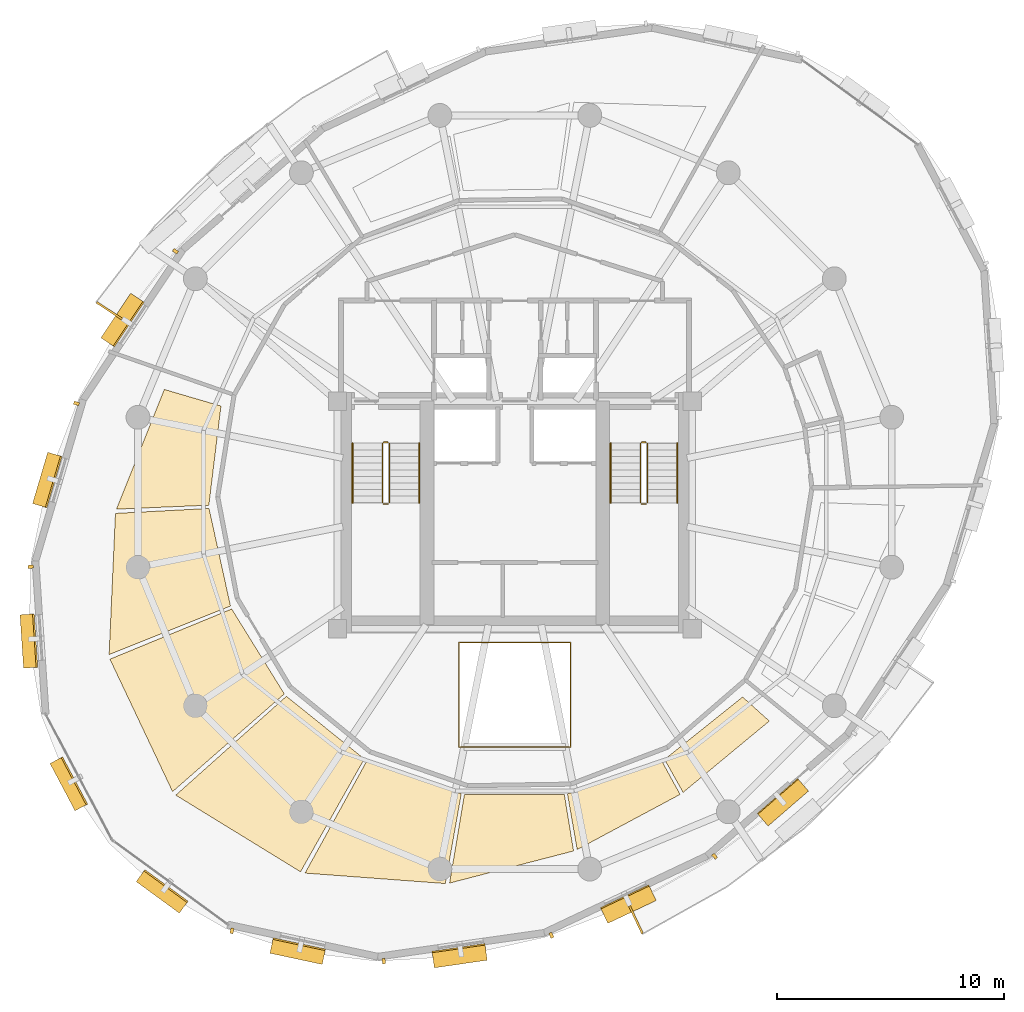
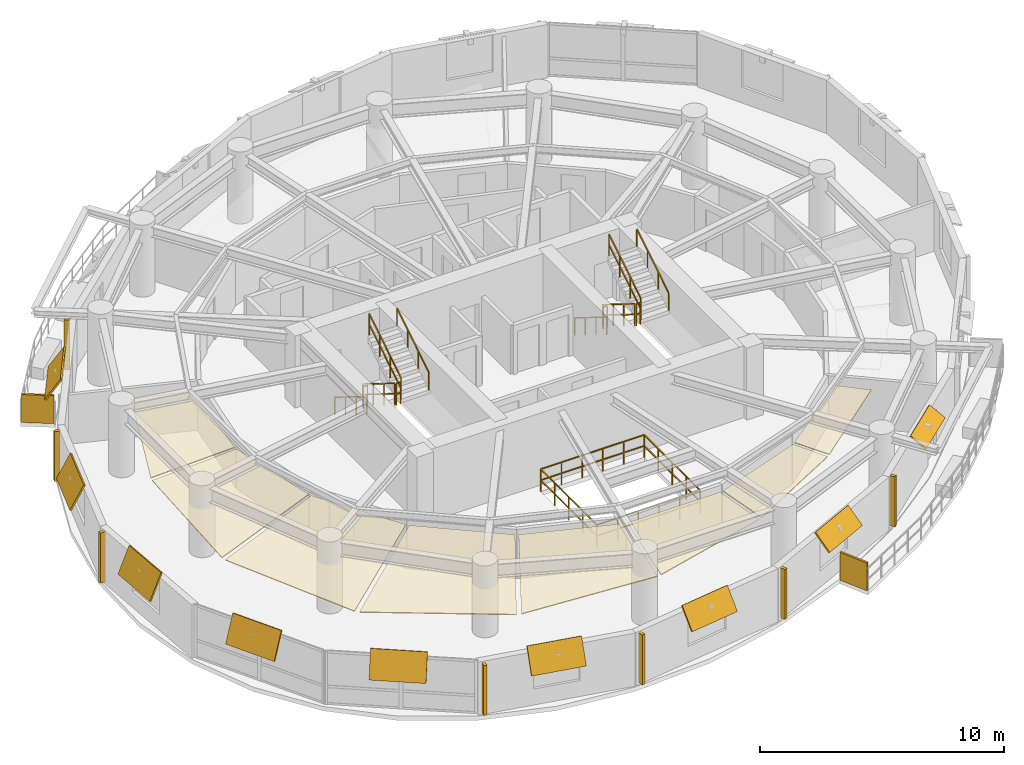
# One storey, part 11 of 12: 18 shading devices, 13 railings, 8 coverings.
"""IFC4 building model written with IfcOpenShell, lengths in metres."""

from ifc_helpers import new_model, si_unit, direction, frame, origin, origin_2d, place, context, subcontext, project, spatial, polyline, rectangle, outline, extrude, material, layer, layer_set, type_object, element, save


model = new_model("IFC4")

# Units and contexts
model_context = context("Model", 3, precision=1e-05, world=origin(), true_north=direction((0.0, 1.0)))
body_context = subcontext(model_context, "Body", "Model", "MODEL_VIEW")
ifc_project = project(units=[si_unit("LENGTHUNIT", "METRE"), si_unit("AREAUNIT", "SQUARE_METRE"), si_unit("VOLUMEUNIT", "CUBIC_METRE"), si_unit("PLANEANGLEUNIT", "RADIAN"), si_unit("MASSUNIT", "GRAM", prefix="KILO"), si_unit("THERMODYNAMICTEMPERATUREUNIT", "KELVIN"), si_unit("POWERUNIT", "WATT")], contexts=[model_context])

# Site, building, storey
site_placement = place(None, origin())
site = spatial("IfcSite", under=ifc_project, at=site_placement, CompositionType="ELEMENT")
building_placement = place(site_placement, origin())
building = spatial("IfcBuilding", under=site, at=building_placement, Name="Ocrelia Relay Tower", CompositionType="ELEMENT")
storey_placement = place(building_placement, frame((0.0, 0.0, 202.39990234375)))
storey = spatial("IfcBuildingStorey", under=building, at=storey_placement, Name="L49", CompositionType="ELEMENT", Elevation=202.39990234375)

# Coverings
ifc_material_1 = material(Name="Cleanroom metal-pan acoustic ceiling", Category="aluminium")
ifc_layer_1 = layer(ifc_material_1, 0.0400390625, Name="Cleanroom metal-pan acoustic ceiling")
ifc_layer_set_1 = layer_set([ifc_layer_1], Name="Cleanroom metal-pan acoustic ceiling")
covering_type = type_object("IfcCoveringType", Name="COV-CEIL-CLEAN", PredefinedType="CEILING", material=ifc_layer_set_1)
covering_1_placement = place(storey_placement, frame((0.0, 0.0, 2.380126953125)))
element("IfcCovering", 1, at=covering_1_placement, inside=storey, type_object=covering_type, Name="L49 Optical Switching Hall B Suspended Ceiling 1", PredefinedType="CEILING", context=body_context, shape_type="SweptSolid", body=[
    extrude(outline(polyline([(21.07470703125, 29.7919921875), (18.5830078125, 30.52294921875), (16.477294921875, 25.2578125), (20.5419921875, 25.43017578125), (21.07470703125, 29.7919921875)])), origin(), (0.0, 0.0, 1.0), 0.0400390625),
])
covering_2_placement = place(storey_placement, frame((0.0, 0.0, 2.380126953125)))
element("IfcCovering", 2, at=covering_2_placement, inside=storey, type_object=covering_type, Name="L49 Optical Switching Hall B Suspended Ceiling 2", PredefinedType="CEILING", context=body_context, shape_type="SweptSolid", body=[
    extrude(outline(polyline([(20.548828125, 25.289306640625), (16.4326171875, 25.071533203125), (16.15478515625, 18.862548828125), (21.493408203125, 20.997802734375), (20.548828125, 25.289306640625)])), origin(), (0.0, 0.0, 1.0), 0.0400390625),
])
covering_3_placement = place(storey_placement, frame((0.0, 0.0, 2.380126953125)))
element("IfcCovering", 3, at=covering_3_placement, inside=storey, type_object=covering_type, Name="L49 Optical Switching Hall B Suspended Ceiling 3", PredefinedType="CEILING", context=body_context, shape_type="SweptSolid", body=[
    extrude(outline(polyline([(21.54638671875, 20.866943359375), (16.189697265625, 18.6591796875), (18.946044921875, 12.8330078125), (23.861083984375, 17.1318359375), (21.54638671875, 20.866943359375)])), origin(), (0.0, 0.0, 1.0), 0.0400390625),
])
covering_4_placement = place(storey_placement, frame((0.0, 0.0, 2.380126953125)))
element("IfcCovering", 4, at=covering_4_placement, inside=storey, type_object=covering_type, Name="L49 Optical Switching Hall B Suspended Ceiling 4", PredefinedType="CEILING", context=body_context, shape_type="SweptSolid", body=[
    extrude(outline(polyline([(23.95458984375, 17.026123046875), (19.086181640625, 12.67724609375), (24.574462890625, 9.306396484375), (27.377197265625, 14.2705078125), (23.95458984375, 17.026123046875)])), origin(), (0.0, 0.0, 1.0), 0.0400390625),
])
covering_5_placement = place(storey_placement, frame((0.0, 0.0, 2.380126953125)))
element("IfcCovering", 5, at=covering_5_placement, inside=storey, type_object=covering_type, Name="L49 Optical Switching Hall B Suspended Ceiling 5", PredefinedType="CEILING", context=body_context, shape_type="SweptSolid", body=[
    extrude(outline(polyline([(27.50048828125, 14.201904296875), (24.77197265625, 9.248779296875), (30.94189453125, 8.7890625), (31.6435546875, 12.73779296875), (27.50048828125, 14.201904296875)])), origin(), (0.0, 0.0, 1.0), 0.0400390625),
])
covering_6_placement = place(storey_placement, frame((0.0, 0.0, 2.380126953125)))
element("IfcCovering", 6, at=covering_6_placement, inside=storey, type_object=covering_type, Name="L49 Optical Switching Hall B Suspended Ceiling 6", PredefinedType="CEILING", context=body_context, shape_type="SweptSolid", body=[
    extrude(outline(polyline([(31.78271484375, 12.7138671875), (31.131103515625, 8.810302734375), (36.583740234375, 10.22216796875), (36.1767578125, 12.70703125), (31.78271484375, 12.7138671875)])), origin(), (0.0, 0.0, 1.0), 0.0400390625),
])
covering_7_placement = place(storey_placement, frame((0.0, 0.0, 2.380126953125)))
element("IfcCovering", 7, at=covering_7_placement, inside=storey, type_object=covering_type, Name="L49 Optical Switching Hall B Suspended Ceiling 7", PredefinedType="CEILING", context=body_context, shape_type="SweptSolid", body=[
    extrude(outline(polyline([(36.31591796875, 12.730712890625), (36.742431640625, 10.2861328125), (41.268798828125, 12.709716796875), (40.46337890625, 14.181884765625), (36.31591796875, 12.730712890625)])), origin(), (0.0, 0.0, 1.0), 0.0400390625),
])
covering_8_placement = place(storey_placement, frame((0.0, 0.0, 2.380126953125)))
element("IfcCovering", 8, at=covering_8_placement, inside=storey, type_object=covering_type, Name="L49 Optical Switching Hall B Suspended Ceiling 8", PredefinedType="CEILING", context=body_context, shape_type="SweptSolid", body=[
    extrude(outline(polyline([(40.5869140625, 14.25048828125), (41.400390625, 12.799072265625), (45.194580078125, 15.93798828125), (44.01806640625, 16.99560546875), (40.5869140625, 14.25048828125)])), origin(), (0.0, 0.0, 1.0), 0.0400390625),
])

# Railings
ifc_material_2 = material(Name="Steel S355 atrium balustrade", Category="steel")
railing_type_1 = type_object("IfcRailingType", Name="RL-INT-GUARD-115", PredefinedType="GUARDRAIL", material=ifc_material_2)
railing_1_placement = place(storey_placement, frame((31.550048828125, 14.800048828125, 0.0)))
element("IfcRailing", 9, at=railing_1_placement, inside=storey, type_object=railing_type_1, Name="L49 Multi-Zone Interior Atrium Guard", PredefinedType="GUARDRAIL", context=body_context, shape_type="SweptSolid", body=[
    extrude(rectangle(XDim=0.048095703125, YDim=0.048095703125, at=origin_2d()), frame((0.0, 0.0, 1.1259765625), z_axis=(1.0, 0.0, 0.0), x_axis=(0.0, 1.0, 0.0)), (0.0, 0.0, 1.0), 4.89990234375),
    extrude(rectangle(XDim=0.048095703125, YDim=0.048095703125, at=origin_2d()), frame((0.0, 0.0, 0.574951171875), z_axis=(1.0, 0.0, 0.0), x_axis=(0.0, 1.0, 0.0)), (0.0, 0.0, 1.0), 4.89990234375),
    extrude(rectangle(XDim=0.048095703125, YDim=0.048095703125, at=origin_2d()), frame((4.89990234375, 0.0, 1.1259765625), z_axis=(0.0, 1.0, 0.0), x_axis=(-1.0, 0.0, 0.0)), (0.0, 0.0, 1.0), 4.599853515625),
    extrude(rectangle(XDim=0.048095703125, YDim=0.048095703125, at=origin_2d()), frame((4.89990234375, 0.0, 0.574951171875), z_axis=(0.0, 1.0, 0.0), x_axis=(-1.0, 0.0, 0.0)), (0.0, 0.0, 1.0), 4.599853515625),
    extrude(rectangle(XDim=0.048095703125, YDim=0.048095703125, at=origin_2d()), frame((4.89990234375, 4.599853515625, 1.1259765625), z_axis=(-1.0, 0.0, 0.0), x_axis=(0.0, -1.0, 0.0)), (0.0, 0.0, 1.0), 4.89990234375),
    extrude(rectangle(XDim=0.048095703125, YDim=0.048095703125, at=origin_2d()), frame((4.89990234375, 4.599853515625, 0.574951171875), z_axis=(-1.0, 0.0, 0.0), x_axis=(0.0, -1.0, 0.0)), (0.0, 0.0, 1.0), 4.89990234375),
    extrude(rectangle(XDim=0.048095703125, YDim=0.048095703125, at=origin_2d()), frame((0.0, 4.599853515625, 1.1259765625), z_axis=(0.0, -1.0, 0.0), x_axis=(1.0, 0.0, 0.0)), (0.0, 0.0, 1.0), 4.599853515625),
    extrude(rectangle(XDim=0.048095703125, YDim=0.048095703125, at=origin_2d()), frame((0.0, 4.599853515625, 0.574951171875), z_axis=(0.0, -1.0, 0.0), x_axis=(1.0, 0.0, 0.0)), (0.0, 0.0, 1.0), 4.599853515625),
    extrude(rectangle(XDim=0.0419921875, YDim=0.0419921875, at=origin_2d()), origin(), (0.0, 0.0, 1.0), 1.101806640625),
    extrude(rectangle(XDim=0.0419921875, YDim=0.0419921875, at=origin_2d()), frame((0.97998046875, 0.0, 0.0)), (0.0, 0.0, 1.0), 1.101806640625),
    extrude(rectangle(XDim=0.0419921875, YDim=0.0419921875, at=origin_2d()), frame((1.9599609375, 0.0, 0.0)), (0.0, 0.0, 1.0), 1.101806640625),
    extrude(rectangle(XDim=0.0419921875, YDim=0.0419921875, at=origin_2d()), frame((2.93994140625, 0.0, 0.0)), (0.0, 0.0, 1.0), 1.101806640625),
    extrude(rectangle(XDim=0.0419921875, YDim=0.0419921875, at=origin_2d()), frame((3.919921875, 0.0, 0.0)), (0.0, 0.0, 1.0), 1.101806640625),
    extrude(rectangle(XDim=0.0419921875, YDim=0.0419921875, at=origin_2d()), frame((4.89990234375, 0.0, 0.0)), (0.0, 0.0, 1.0), 1.101806640625),
    extrude(rectangle(XDim=0.0419921875, YDim=0.0419921875, at=origin_2d()), frame((4.89990234375, 1.14990234375, 0.0)), (0.0, 0.0, 1.0), 1.101806640625),
    extrude(rectangle(XDim=0.0419921875, YDim=0.0419921875, at=origin_2d()), frame((4.89990234375, 2.2998046875, 0.0)), (0.0, 0.0, 1.0), 1.101806640625),
    extrude(rectangle(XDim=0.0419921875, YDim=0.0419921875, at=origin_2d()), frame((4.89990234375, 3.449951171875, 0.0)), (0.0, 0.0, 1.0), 1.101806640625),
    extrude(rectangle(XDim=0.0419921875, YDim=0.0419921875, at=origin_2d()), frame((4.89990234375, 4.599853515625, 0.0)), (0.0, 0.0, 1.0), 1.101806640625),
    extrude(rectangle(XDim=0.0419921875, YDim=0.0419921875, at=origin_2d()), frame((3.919921875, 4.599853515625, 0.0)), (0.0, 0.0, 1.0), 1.101806640625),
    extrude(rectangle(XDim=0.0419921875, YDim=0.0419921875, at=origin_2d()), frame((2.93994140625, 4.599853515625, 0.0)), (0.0, 0.0, 1.0), 1.101806640625),
    extrude(rectangle(XDim=0.0419921875, YDim=0.0419921875, at=origin_2d()), frame((1.9599609375, 4.599853515625, 0.0)), (0.0, 0.0, 1.0), 1.101806640625),
    extrude(rectangle(XDim=0.0419921875, YDim=0.0419921875, at=origin_2d()), frame((0.97998046875, 4.599853515625, 0.0)), (0.0, 0.0, 1.0), 1.101806640625),
    extrude(rectangle(XDim=0.0419921875, YDim=0.0419921875, at=origin_2d()), frame((0.0, 4.599853515625, 0.0)), (0.0, 0.0, 1.0), 1.101806640625),
    extrude(rectangle(XDim=0.0419921875, YDim=0.0419921875, at=origin_2d()), frame((0.0, 3.449951171875, 0.0)), (0.0, 0.0, 1.0), 1.101806640625),
    extrude(rectangle(XDim=0.0419921875, YDim=0.0419921875, at=origin_2d()), frame((0.0, 2.2998046875, 0.0)), (0.0, 0.0, 1.0), 1.101806640625),
    extrude(rectangle(XDim=0.0419921875, YDim=0.0419921875, at=origin_2d()), frame((0.0, 1.14990234375, 0.0)), (0.0, 0.0, 1.0), 1.101806640625),
])
ifc_material_3 = material(Name="Steel S355 balustrade", Category="steel")
railing_type_2 = type_object("IfcRailingType", Name="RL-STAIR-GUARD", PredefinedType="GUARDRAIL", material=ifc_material_3)
railing_2_placement = place(storey_placement, frame((28.179931640625, 28.14990234375, 0.18017578125)))
element("IfcRailing", 10, at=railing_2_placement, inside=storey, type_object=railing_type_2, Name="L49 ST1 stair guard 1", PredefinedType="GUARDRAIL", context=body_context, shape_type="SweptSolid", body=[
    extrude(rectangle(XDim=0.048095703125, YDim=0.048095703125, at=origin_2d()), frame((0.0, 0.0, 1.076171875), z_axis=(0.0, -0.849646306263, 0.527352969322), x_axis=(1.0, 0.0, 0.0)), (0.0, 0.0, 1.0), 3.07177734375),
    extrude(rectangle(XDim=0.048095703125, YDim=0.048095703125, at=origin_2d()), frame((0.0, 0.0, 0.550048828125), z_axis=(0.0, -0.849646306263, 0.527352969322), x_axis=(1.0, 0.0, 0.0)), (0.0, 0.0, 1.0), 3.07177734375),
    extrude(rectangle(XDim=0.0419921875, YDim=0.0419921875, at=origin_2d()), origin(), (0.0, 0.0, 1.0), 1.052001953125),
    extrude(rectangle(XDim=0.0419921875, YDim=0.0419921875, at=origin_2d()), frame((0.0, -0.869873046875, 0.5400390625)), (0.0, 0.0, 1.0), 1.052001953125),
    extrude(rectangle(XDim=0.0419921875, YDim=0.0419921875, at=origin_2d()), frame((0.0, -1.739990234375, 1.079833984375)), (0.0, 0.0, 1.0), 1.052001953125),
    extrude(rectangle(XDim=0.0419921875, YDim=0.0419921875, at=origin_2d()), frame((0.0, -2.60986328125, 1.619873046875)), (0.0, 0.0, 1.0), 1.052001953125),
])
railing_3_placement = place(storey_placement, frame((28.22998046875, 25.489990234375, 1.800048828125)))
element("IfcRailing", 11, at=railing_3_placement, inside=storey, type_object=railing_type_2, Name="L49 ST1 stair guard 2", PredefinedType="GUARDRAIL", context=body_context, shape_type="SweptSolid", body=[
    extrude(rectangle(XDim=0.048095703125, YDim=0.048095703125, at=origin_2d()), frame((0.0, 0.0, 1.076171875), z_axis=(1.0, 0.0, 0.0), x_axis=(0.0, 1.0, 0.0)), (0.0, 0.0, 1.0), 0.199951171875),
    extrude(rectangle(XDim=0.048095703125, YDim=0.048095703125, at=origin_2d()), frame((0.0, 0.0, 0.550048828125), z_axis=(1.0, 0.0, 0.0), x_axis=(0.0, 1.0, 0.0)), (0.0, 0.0, 1.0), 0.199951171875),
    extrude(rectangle(XDim=0.0419921875, YDim=0.0419921875, at=origin_2d()), origin(), (0.0, 0.0, 1.0), 1.052001953125),
    extrude(rectangle(XDim=0.0419921875, YDim=0.0419921875, at=origin_2d()), frame((0.199951171875, 0.0, 0.0)), (0.0, 0.0, 1.0), 1.052001953125),
])
railing_4_placement = place(storey_placement, frame((28.47998046875, 25.5400390625, 1.97998046875)))
element("IfcRailing", 12, at=railing_4_placement, inside=storey, type_object=railing_type_2, Name="L49 ST1 stair guard 3", PredefinedType="GUARDRAIL", context=body_context, shape_type="SweptSolid", body=[
    extrude(rectangle(XDim=0.048095703125, YDim=0.048095703125, at=origin_2d()), frame((0.0, 0.0, 1.076171875), z_axis=(0.0, 0.849610693518, 0.52741034258), x_axis=(-1.0, 0.0, 0.0)), (0.0, 0.0, 1.0), 3.07177734375),
    extrude(rectangle(XDim=0.048095703125, YDim=0.048095703125, at=origin_2d()), frame((0.0, 0.0, 0.550048828125), z_axis=(0.0, 0.849610693518, 0.52741034258), x_axis=(-1.0, 0.0, 0.0)), (0.0, 0.0, 1.0), 3.07177734375),
    extrude(rectangle(XDim=0.0419921875, YDim=0.0419921875, at=origin_2d()), origin(), (0.0, 0.0, 1.0), 1.052001953125),
    extrude(rectangle(XDim=0.0419921875, YDim=0.0419921875, at=origin_2d()), frame((0.0, 0.869873046875, 0.5400390625)), (0.0, 0.0, 1.0), 1.052001953125),
    extrude(rectangle(XDim=0.0419921875, YDim=0.0419921875, at=origin_2d()), frame((0.0, 1.739990234375, 1.080078125)), (0.0, 0.0, 1.0), 1.052001953125),
    extrude(rectangle(XDim=0.0419921875, YDim=0.0419921875, at=origin_2d()), frame((0.0, 2.60986328125, 1.6201171875)), (0.0, 0.0, 1.0), 1.052001953125),
])
railing_5_placement = place(storey_placement, frame((28.22998046875, 28.199951171875, 0.0)))
element("IfcRailing", 13, at=railing_5_placement, inside=storey, type_object=railing_type_2, Name="L49 ST1 stair guard 4", PredefinedType="GUARDRAIL", context=body_context, shape_type="SweptSolid", body=[
    extrude(rectangle(XDim=0.048095703125, YDim=0.048095703125, at=origin_2d()), frame((0.0, 0.0, 1.076171875), z_axis=(1.0, 0.0, 0.0), x_axis=(0.0, 1.0, 0.0)), (0.0, 0.0, 1.0), 0.199951171875),
    extrude(rectangle(XDim=0.048095703125, YDim=0.048095703125, at=origin_2d()), frame((0.0, 0.0, 0.550048828125), z_axis=(1.0, 0.0, 0.0), x_axis=(0.0, 1.0, 0.0)), (0.0, 0.0, 1.0), 0.199951171875),
    extrude(rectangle(XDim=0.0419921875, YDim=0.0419921875, at=origin_2d()), origin(), (0.0, 0.0, 1.0), 1.052001953125),
    extrude(rectangle(XDim=0.0419921875, YDim=0.0419921875, at=origin_2d()), frame((0.199951171875, 0.0, 0.0)), (0.0, 0.0, 1.0), 1.052001953125),
])
railing_6_placement = place(storey_placement, frame((39.530029296875, 28.14990234375, 0.18017578125)))
element("IfcRailing", 14, at=railing_6_placement, inside=storey, type_object=railing_type_2, Name="L49 ST2 stair guard 1", PredefinedType="GUARDRAIL", context=body_context, shape_type="SweptSolid", body=[
    extrude(rectangle(XDim=0.048095703125, YDim=0.048095703125, at=origin_2d()), frame((0.0, 0.0, 1.076171875), z_axis=(0.0, -0.849646306263, 0.527352969322), x_axis=(1.0, 0.0, 0.0)), (0.0, 0.0, 1.0), 3.07177734375),
    extrude(rectangle(XDim=0.048095703125, YDim=0.048095703125, at=origin_2d()), frame((0.0, 0.0, 0.550048828125), z_axis=(0.0, -0.849646306263, 0.527352969322), x_axis=(1.0, 0.0, 0.0)), (0.0, 0.0, 1.0), 3.07177734375),
    extrude(rectangle(XDim=0.0419921875, YDim=0.0419921875, at=origin_2d()), origin(), (0.0, 0.0, 1.0), 1.052001953125),
    extrude(rectangle(XDim=0.0419921875, YDim=0.0419921875, at=origin_2d()), frame((0.0, -0.869873046875, 0.5400390625)), (0.0, 0.0, 1.0), 1.052001953125),
    extrude(rectangle(XDim=0.0419921875, YDim=0.0419921875, at=origin_2d()), frame((0.0, -1.739990234375, 1.079833984375)), (0.0, 0.0, 1.0), 1.052001953125),
    extrude(rectangle(XDim=0.0419921875, YDim=0.0419921875, at=origin_2d()), frame((0.0, -2.60986328125, 1.619873046875)), (0.0, 0.0, 1.0), 1.052001953125),
])
railing_7_placement = place(storey_placement, frame((39.580078125, 25.489990234375, 1.800048828125)))
element("IfcRailing", 15, at=railing_7_placement, inside=storey, type_object=railing_type_2, Name="L49 ST2 stair guard 2", PredefinedType="GUARDRAIL", context=body_context, shape_type="SweptSolid", body=[
    extrude(rectangle(XDim=0.048095703125, YDim=0.048095703125, at=origin_2d()), frame((0.0, 0.0, 1.076171875), z_axis=(1.0, 0.0, 0.0), x_axis=(0.0, 1.0, 0.0)), (0.0, 0.0, 1.0), 0.199951171875),
    extrude(rectangle(XDim=0.048095703125, YDim=0.048095703125, at=origin_2d()), frame((0.0, 0.0, 0.550048828125), z_axis=(1.0, 0.0, 0.0), x_axis=(0.0, 1.0, 0.0)), (0.0, 0.0, 1.0), 0.199951171875),
    extrude(rectangle(XDim=0.0419921875, YDim=0.0419921875, at=origin_2d()), origin(), (0.0, 0.0, 1.0), 1.052001953125),
    extrude(rectangle(XDim=0.0419921875, YDim=0.0419921875, at=origin_2d()), frame((0.199951171875, 0.0, 0.0)), (0.0, 0.0, 1.0), 1.052001953125),
])
railing_8_placement = place(storey_placement, frame((39.830078125, 25.5400390625, 1.97998046875)))
element("IfcRailing", 16, at=railing_8_placement, inside=storey, type_object=railing_type_2, Name="L49 ST2 stair guard 3", PredefinedType="GUARDRAIL", context=body_context, shape_type="SweptSolid", body=[
    extrude(rectangle(XDim=0.048095703125, YDim=0.048095703125, at=origin_2d()), frame((0.0, 0.0, 1.076171875), z_axis=(0.0, 0.849610693518, 0.52741034258), x_axis=(-1.0, 0.0, 0.0)), (0.0, 0.0, 1.0), 3.07177734375),
    extrude(rectangle(XDim=0.048095703125, YDim=0.048095703125, at=origin_2d()), frame((0.0, 0.0, 0.550048828125), z_axis=(0.0, 0.849610693518, 0.52741034258), x_axis=(-1.0, 0.0, 0.0)), (0.0, 0.0, 1.0), 3.07177734375),
    extrude(rectangle(XDim=0.0419921875, YDim=0.0419921875, at=origin_2d()), origin(), (0.0, 0.0, 1.0), 1.052001953125),
    extrude(rectangle(XDim=0.0419921875, YDim=0.0419921875, at=origin_2d()), frame((0.0, 0.869873046875, 0.5400390625)), (0.0, 0.0, 1.0), 1.052001953125),
    extrude(rectangle(XDim=0.0419921875, YDim=0.0419921875, at=origin_2d()), frame((0.0, 1.739990234375, 1.080078125)), (0.0, 0.0, 1.0), 1.052001953125),
    extrude(rectangle(XDim=0.0419921875, YDim=0.0419921875, at=origin_2d()), frame((0.0, 2.60986328125, 1.6201171875)), (0.0, 0.0, 1.0), 1.052001953125),
])
railing_9_placement = place(storey_placement, frame((39.580078125, 28.199951171875, 0.0)))
element("IfcRailing", 17, at=railing_9_placement, inside=storey, type_object=railing_type_2, Name="L49 ST2 stair guard 4", PredefinedType="GUARDRAIL", context=body_context, shape_type="SweptSolid", body=[
    extrude(rectangle(XDim=0.048095703125, YDim=0.048095703125, at=origin_2d()), frame((0.0, 0.0, 1.076171875), z_axis=(1.0, 0.0, 0.0), x_axis=(0.0, 1.0, 0.0)), (0.0, 0.0, 1.0), 0.199951171875),
    extrude(rectangle(XDim=0.048095703125, YDim=0.048095703125, at=origin_2d()), frame((0.0, 0.0, 0.550048828125), z_axis=(1.0, 0.0, 0.0), x_axis=(0.0, 1.0, 0.0)), (0.0, 0.0, 1.0), 0.199951171875),
    extrude(rectangle(XDim=0.0419921875, YDim=0.0419921875, at=origin_2d()), origin(), (0.0, 0.0, 1.0), 1.052001953125),
    extrude(rectangle(XDim=0.0419921875, YDim=0.0419921875, at=origin_2d()), frame((0.199951171875, 0.0, 0.0)), (0.0, 0.0, 1.0), 1.052001953125),
])
ifc_material_4 = material(Name="Steel S355 tubular handrail", Category="steel")
railing_type_3 = type_object("IfcRailingType", Name="RL-STAIR-HAND", PredefinedType="HANDRAIL", material=ifc_material_4)
railing_10_placement = place(storey_placement, frame((26.860107421875, 28.14990234375, 0.18017578125)))
element("IfcRailing", 18, at=railing_10_placement, inside=storey, type_object=railing_type_3, Name="L49 ST1 stair handrail 1", PredefinedType="HANDRAIL", context=body_context, shape_type="SweptSolid", body=[
    extrude(rectangle(XDim=0.048095703125, YDim=0.048095703125, at=origin_2d()), frame((0.0, 0.0, 0.8759765625), z_axis=(0.0, -0.849646306263, 0.527352969322), x_axis=(1.0, 0.0, 0.0)), (0.0, 0.0, 1.0), 3.07177734375),
    extrude(rectangle(XDim=0.0419921875, YDim=0.0419921875, at=origin_2d()), origin(), (0.0, 0.0, 1.0), 0.851806640625),
    extrude(rectangle(XDim=0.0419921875, YDim=0.0419921875, at=origin_2d()), frame((0.0, -0.869873046875, 0.5400390625)), (0.0, 0.0, 1.0), 0.851806640625),
    extrude(rectangle(XDim=0.0419921875, YDim=0.0419921875, at=origin_2d()), frame((0.0, -1.739990234375, 1.079833984375)), (0.0, 0.0, 1.0), 0.851806640625),
    extrude(rectangle(XDim=0.0419921875, YDim=0.0419921875, at=origin_2d()), frame((0.0, -2.60986328125, 1.619873046875)), (0.0, 0.0, 1.0), 0.851806640625),
])
railing_11_placement = place(storey_placement, frame((29.800048828125, 25.5400390625, 1.97998046875)))
element("IfcRailing", 19, at=railing_11_placement, inside=storey, type_object=railing_type_3, Name="L49 ST1 stair handrail 2", PredefinedType="HANDRAIL", context=body_context, shape_type="SweptSolid", body=[
    extrude(rectangle(XDim=0.048095703125, YDim=0.048095703125, at=origin_2d()), frame((0.0, 0.0, 0.8759765625), z_axis=(0.0, 0.849610693518, 0.52741034258), x_axis=(-1.0, 0.0, 0.0)), (0.0, 0.0, 1.0), 3.07177734375),
    extrude(rectangle(XDim=0.0419921875, YDim=0.0419921875, at=origin_2d()), origin(), (0.0, 0.0, 1.0), 0.851806640625),
    extrude(rectangle(XDim=0.0419921875, YDim=0.0419921875, at=origin_2d()), frame((0.0, 0.869873046875, 0.5400390625)), (0.0, 0.0, 1.0), 0.851806640625),
    extrude(rectangle(XDim=0.0419921875, YDim=0.0419921875, at=origin_2d()), frame((0.0, 1.739990234375, 1.080078125)), (0.0, 0.0, 1.0), 0.851806640625),
    extrude(rectangle(XDim=0.0419921875, YDim=0.0419921875, at=origin_2d()), frame((0.0, 2.60986328125, 1.6201171875)), (0.0, 0.0, 1.0), 0.851806640625),
])
railing_12_placement = place(storey_placement, frame((38.2099609375, 28.14990234375, 0.18017578125)))
element("IfcRailing", 20, at=railing_12_placement, inside=storey, type_object=railing_type_3, Name="L49 ST2 stair handrail 1", PredefinedType="HANDRAIL", context=body_context, shape_type="SweptSolid", body=[
    extrude(rectangle(XDim=0.048095703125, YDim=0.048095703125, at=origin_2d()), frame((0.0, 0.0, 0.8759765625), z_axis=(0.0, -0.849646306263, 0.527352969322), x_axis=(1.0, 0.0, 0.0)), (0.0, 0.0, 1.0), 3.07177734375),
    extrude(rectangle(XDim=0.0419921875, YDim=0.0419921875, at=origin_2d()), origin(), (0.0, 0.0, 1.0), 0.851806640625),
    extrude(rectangle(XDim=0.0419921875, YDim=0.0419921875, at=origin_2d()), frame((0.0, -0.869873046875, 0.5400390625)), (0.0, 0.0, 1.0), 0.851806640625),
    extrude(rectangle(XDim=0.0419921875, YDim=0.0419921875, at=origin_2d()), frame((0.0, -1.739990234375, 1.079833984375)), (0.0, 0.0, 1.0), 0.851806640625),
    extrude(rectangle(XDim=0.0419921875, YDim=0.0419921875, at=origin_2d()), frame((0.0, -2.60986328125, 1.619873046875)), (0.0, 0.0, 1.0), 0.851806640625),
])
railing_13_placement = place(storey_placement, frame((41.14990234375, 25.5400390625, 1.97998046875)))
element("IfcRailing", 21, at=railing_13_placement, inside=storey, type_object=railing_type_3, Name="L49 ST2 stair handrail 2", PredefinedType="HANDRAIL", context=body_context, shape_type="SweptSolid", body=[
    extrude(rectangle(XDim=0.048095703125, YDim=0.048095703125, at=origin_2d()), frame((0.0, 0.0, 0.8759765625), z_axis=(0.0, 0.849610693518, 0.52741034258), x_axis=(-1.0, 0.0, 0.0)), (0.0, 0.0, 1.0), 3.07177734375),
    extrude(rectangle(XDim=0.0419921875, YDim=0.0419921875, at=origin_2d()), origin(), (0.0, 0.0, 1.0), 0.851806640625),
    extrude(rectangle(XDim=0.0419921875, YDim=0.0419921875, at=origin_2d()), frame((0.0, 0.869873046875, 0.5400390625)), (0.0, 0.0, 1.0), 0.851806640625),
    extrude(rectangle(XDim=0.0419921875, YDim=0.0419921875, at=origin_2d()), frame((0.0, 1.739990234375, 1.080078125)), (0.0, 0.0, 1.0), 0.851806640625),
    extrude(rectangle(XDim=0.0419921875, YDim=0.0419921875, at=origin_2d()), frame((0.0, 2.60986328125, 1.6201171875)), (0.0, 0.0, 1.0), 0.851806640625),
])

# Shading devices
ifc_material_5 = material(Name="Perforated oxide terracotta solar screen", Category="masonry")
ifc_layer_2 = layer(ifc_material_5, 0.090087890625, Name="Perforated oxide terracotta solar screen")
ifc_layer_set_2 = layer_set([ifc_layer_2], Name="Perforated oxide terracotta solar screen")
shading_device_type_1 = type_object("IfcShadingDeviceType", Name="SH-BALC-SCREEN", PredefinedType="USERDEFINED", material=ifc_layer_set_2)
for number, where, z_axis, x_axis, name in (
    (22, (16.163330078125, 33.9873046875, 0.000244140625), (0.0, 0.0, 1.0), (-0.833834567155, 0.552014415225, 0.0), "L49 Balcony Perforated Terracotta Screen B1-2"),
    (23, (39.328857421875, 7.197265625, 0.000244140625), (0.0, 0.0, 1.0), (0.425845420265, -0.90479593171, 0.0), "L49 Balcony Perforated Terracotta Screen B2-1"),
):
    element("IfcShadingDevice", number, at=place(storey_placement, frame(where, z_axis=z_axis, x_axis=x_axis)), inside=storey, type_object=shading_device_type_1, Name=name, ObjectType="SCREEN", PredefinedType="USERDEFINED", context=body_context, shape_type="SweptSolid", body=[
        extrude(rectangle(XDim=1.340087890625, YDim=0.090087890625, at=origin_2d()), origin(), (0.0, 0.0, 1.0), 1.39990234375),
    ])
ifc_material_6 = material(Name="Extruded oxide terracotta vertical baguette", Category="masonry")
shading_device_type_2 = type_object("IfcShadingDeviceType", Name="SH-TERR-BAGUETTE", PredefinedType="USERDEFINED", material=ifc_material_6)
for number, where, z_axis, x_axis, name in (
    (24, (19.07177734375, 36.603759765625, 0.080078125), (0.0, 0.0, 1.0), (-0.553267090786, -0.83300391731, 0.0), "L49 Oxide Terracotta Vertical Baguette 06"),
    (25, (14.7216796875, 29.908203125, 0.080078125), (0.0, 0.0, 1.0), (-0.283258827519, -0.959043500907, 0.0), "L49 Oxide Terracotta Vertical Baguette 07"),
    (26, (12.701416015625, 22.72412109375, 0.080078125), (0.0, 0.0, 1.0), (0.066374361501, -0.997794790593, 0.0), "L49 Oxide Terracotta Vertical Baguette 08"),
    (27, (21.557861328125, 6.71142578125, 0.080078125), (0.0, 0.0, 1.0), (0.977760303594, -0.209725508024, 0.0), "L49 Oxide Terracotta Vertical Baguette 11"),
    (28, (28.23681640625, 5.37841796875, 0.080078125), (0.0, 0.0, 1.0), (0.989889113848, 0.141843372372, 0.0), "L49 Oxide Terracotta Vertical Baguette 12"),
    (29, (35.6044921875, 6.515869140625, 0.080078125), (0.0, 0.0, 1.0), (0.90414687282, 0.427221760178, 0.0), "L49 Oxide Terracotta Vertical Baguette 13"),
    (30, (42.78857421875, 9.990966796875, 0.080078125), (0.0, 0.0, 1.0), (0.756423064064, 0.654082676847, 0.0), "L49 Oxide Terracotta Vertical Baguette 14"),
):
    element("IfcShadingDevice", number, at=place(storey_placement, frame(where, z_axis=z_axis, x_axis=x_axis)), inside=storey, type_object=shading_device_type_2, Name=name, ObjectType="BAGUETTE", PredefinedType="USERDEFINED", context=body_context, shape_type="SweptSolid", body=[
        extrude(rectangle(XDim=0.139892578125, YDim=0.239990234375, at=origin_2d()), origin(), (0.0, 0.0, 1.0), 2.5),
    ])
ifc_material_7 = material(Name="Extruded oxide terracotta fin", Category="masonry")
ifc_layer_3 = layer(ifc_material_7, 0.080078125, Name="Extruded oxide terracotta fin")
ifc_layer_set_3 = layer_set([ifc_layer_3], Name="Extruded oxide terracotta fin")
shading_device_type_3 = type_object("IfcShadingDeviceType", Name="SH-VISOR-FIN-DEEP", PredefinedType="USERDEFINED", material=ifc_layer_set_3)
shading_device_1_placement = place(storey_placement, frame((16.77392578125, 33.556884765625, 2.478759765625), z_axis=(-0.705191942686, 0.468376542377, 0.532285391986), x_axis=(-0.553267090786, -0.83300391731, 0.0)))
element("IfcShadingDevice", 31, at=shading_device_1_placement, inside=storey, type_object=shading_device_type_3, Name="L49 Canted Terracotta Sun-Visor Fin 06", ObjectType="FIN", PredefinedType="USERDEFINED", context=body_context, shape_type="SweptSolid", body=[
    extrude(rectangle(XDim=2.35009765625, YDim=1.214111328125, at=origin_2d()), origin(), (0.0, 0.0, 1.0), 0.080078125),
])
shading_device_2_placement = place(storey_placement, frame((13.470947265625, 26.529541015625, 2.482177734375), z_axis=(-0.858131557601, 0.253453924283, 0.446510176944), x_axis=(-0.283258827519, -0.959043500907, 0.0)))
element("IfcShadingDevice", 32, at=shading_device_2_placement, inside=storey, type_object=shading_device_type_3, Name="L49 Canted Terracotta Sun-Visor Fin 07", ObjectType="FIN", PredefinedType="USERDEFINED", context=body_context, shape_type="SweptSolid", body=[
    extrude(rectangle(XDim=2.35009765625, YDim=1.30810546875, at=origin_2d()), origin(), (0.0, 0.0, 1.0), 0.080078125),
])
for number, where, z_axis, x_axis, name in (
    (33, (12.661865234375, 19.458740234375, 2.483642578125), (-0.909894413683, -0.06052713575, 0.410400562604), (0.066374361501, -0.997794790593, 0.0), "L49 Canted Terracotta Sun-Visor Fin 08"),
    (34, (14.4140625, 13.19482421875, 2.483642578125), (-0.806068753168, -0.426255658637, 0.410559713862), (0.467470825278, -0.884008499684, 0.0), "L49 Canted Terracotta Sun-Visor Fin 09"),
):
    element("IfcShadingDevice", number, at=place(storey_placement, frame(where, z_axis=z_axis, x_axis=x_axis)), inside=storey, type_object=shading_device_type_3, Name=name, ObjectType="FIN", PredefinedType="USERDEFINED", context=body_context, shape_type="SweptSolid", body=[
        extrude(rectangle(XDim=2.35009765625, YDim=1.345947265625, at=origin_2d()), origin(), (0.0, 0.0, 1.0), 0.080078125),
    ])
shading_device_3_placement = place(storey_placement, frame((18.5068359375, 8.473388671875, 2.482421875), z_axis=(-0.530451164525, -0.725570327203, 0.438371146789), x_axis=(0.807270953997, -0.590180994977, 0.0)))
element("IfcShadingDevice", 35, at=shading_device_3_placement, inside=storey, type_object=shading_device_type_3, Name="L49 Canted Terracotta Sun-Visor Fin 10", ObjectType="FIN", PredefinedType="USERDEFINED", context=body_context, shape_type="SweptSolid", body=[
    extrude(rectangle(XDim=2.35009765625, YDim=1.31689453125, at=origin_2d()), origin(), (0.0, 0.0, 1.0), 0.080078125),
])
shading_device_4_placement = place(storey_placement, frame((24.457275390625, 5.8505859375, 2.480224609375), z_axis=(-0.182481691448, -0.850747034596, 0.492879209759), x_axis=(0.977760303594, -0.209725508024, 0.0)))
element("IfcShadingDevice", 36, at=shading_device_4_placement, inside=storey, type_object=shading_device_type_3, Name="L49 Canted Terracotta Sun-Visor Fin 11", ObjectType="FIN", PredefinedType="USERDEFINED", context=body_context, shape_type="SweptSolid", body=[
    extrude(rectangle(XDim=2.35009765625, YDim=1.258056640625, at=origin_2d()), origin(), (0.0, 0.0, 1.0), 0.080078125),
])
shading_device_5_placement = place(storey_placement, frame((31.56591796875, 5.647216796875, 2.476806640625), z_axis=(0.11569213583, -0.807386231034, 0.578569618666), x_axis=(0.989889113848, 0.141843372372, 0.0)))
element("IfcShadingDevice", 37, at=shading_device_5_placement, inside=storey, type_object=shading_device_type_3, Name="L49 Canted Terracotta Sun-Visor Fin 12", ObjectType="FIN", PredefinedType="USERDEFINED", context=body_context, shape_type="SweptSolid", body=[
    extrude(rectangle(XDim=2.35009765625, YDim=1.160888671875, at=origin_2d()), origin(), (0.0, 0.0, 1.0), 0.080078125),
])
ifc_layer_4 = layer(ifc_material_7, 0.080078125, Name="Extruded oxide terracotta fin")
ifc_layer_set_4 = layer_set([ifc_layer_4], Name="Extruded oxide terracotta fin")
shading_device_type_4 = type_object("IfcShadingDeviceType", Name="SH-VISOR-FIN-MED", PredefinedType="USERDEFINED", material=ifc_layer_set_4)
shading_device_6_placement = place(storey_placement, frame((38.978759765625, 7.911865234375, 2.47216796875), z_axis=(0.307317615667, -0.650388830971, 0.694658370459), x_axis=(0.90414687282, 0.427221760178, 0.0)))
element("IfcShadingDevice", 38, at=shading_device_6_placement, inside=storey, type_object=shading_device_type_4, Name="L49 Canted Terracotta Sun-Visor Fin 13", ObjectType="FIN", PredefinedType="USERDEFINED", context=body_context, shape_type="SweptSolid", body=[
    extrude(rectangle(XDim=2.35009765625, YDim=1.01708984375, at=origin_2d()), origin(), (0.0, 0.0, 1.0), 0.080078125),
])
shading_device_7_placement = place(storey_placement, frame((45.773681640625, 12.384033203125, 2.46728515625), z_axis=(0.37936290624, -0.438719541256, 0.814621967227), x_axis=(0.756423064064, 0.654082676847, 0.0)))
element("IfcShadingDevice", 39, at=shading_device_7_placement, inside=storey, type_object=shading_device_type_4, Name="L49 Canted Terracotta Sun-Visor Fin 14", ObjectType="FIN", PredefinedType="USERDEFINED", context=body_context, shape_type="SweptSolid", body=[
    extrude(rectangle(XDim=2.35009765625, YDim=0.841064453125, at=origin_2d()), origin(), (0.0, 0.0, 1.0), 0.080078125),
])

save(model, "model.ifc")
